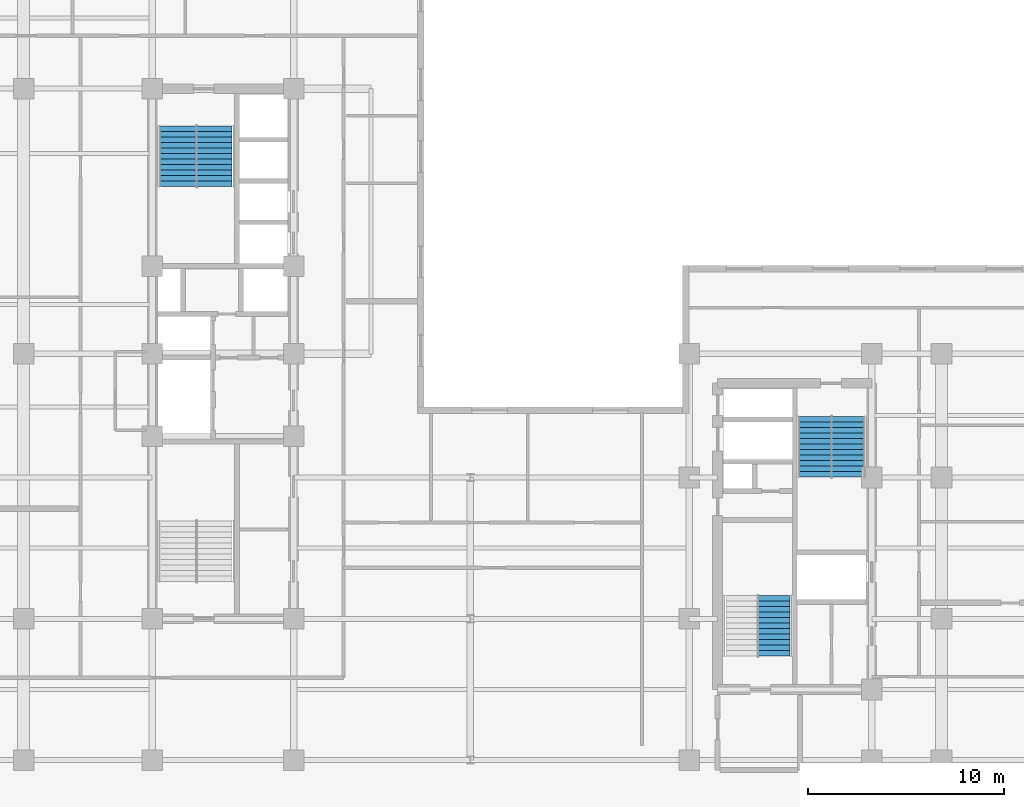
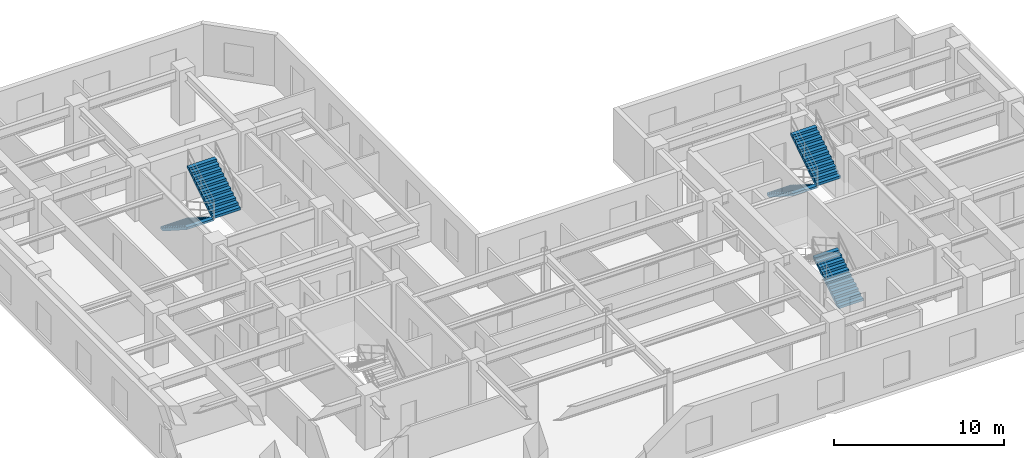
# One storey, part 7 of 10: 5 stair flights, 3 elements without a shape of their own.
"""IFC4 building model written with IfcOpenShell, lengths in metres."""

from ifc_helpers import new_model, entity, si_unit, converted_unit, direction, frame, origin_with_axes, place, context, subcontext, project, spatial, polyline, outline, extrude, material, type_object, element, aggregate, save


model = new_model("IFC4")

# Units and contexts
model_context = context("Model", 3, precision=1e-05, world=origin_with_axes(), true_north=direction((0.0, 1.0)))
body_context = subcontext(model_context, "Body", "Model", "MODEL_VIEW")
ifc_project = project(units=[si_unit("LENGTHUNIT", "METRE"), si_unit("AREAUNIT", "SQUARE_METRE"), si_unit("VOLUMEUNIT", "CUBIC_METRE"), converted_unit("PLANEANGLEUNIT", "DEGREE", entity("IfcPlaneAngleMeasure", 0.017453292519943295), si_unit("PLANEANGLEUNIT", "RADIAN"), dimensions=[0, 0, 0, 0, 0, 0, 0]), si_unit("MASSUNIT", "GRAM", prefix="KILO"), si_unit("THERMODYNAMICTEMPERATUREUNIT", "KELVIN")], contexts=[model_context])

# Site, building, storey
site_placement = place(None, origin_with_axes())
site = spatial("IfcSite", under=ifc_project, at=site_placement, CompositionType="ELEMENT")
building_placement = place(site_placement, origin_with_axes())
building = spatial("IfcBuilding", under=site, at=building_placement, Name="Varnlund Millrace Tower", CompositionType="ELEMENT")
storey_placement = place(building_placement, frame((0.0, 0.0, 175.8), z_axis=(0.0, 0.0, 1.0), x_axis=(1.0, 0.0, 0.0)))
storey = spatial("IfcBuildingStorey", under=building, at=storey_placement, Name="L43", CompositionType="ELEMENT", Elevation=175.8)

# Stair, stair flight
ifc_material_1 = material(Name="Concrete C50/60", Category="concrete")
stair_type_1 = type_object("IfcStairType", Name="Type-Stair-Dogleg-165-390", PredefinedType="HALF_TURN_STAIR", material=ifc_material_1)
stair_1_placement = place(storey_placement, origin_with_axes())
stair_1 = element("IfcStair", 1, at=stair_1_placement, inside=storey, type_object=stair_type_1, Name="Type-Stair-Dogleg-165-390", PredefinedType="HALF_TURN_STAIR")
ifc_material_2 = material(Name="Precast concrete C50/60", Category="concrete")
stair_flight_type_1 = type_object("IfcStairFlightType", Name="Type-Dogleg-Run-165-390", PredefinedType="STRAIGHT", material=ifc_material_2)
stair_flight_1_placement = place(storey_placement, frame((42.225, 8.9, 0.0), z_axis=(1.0, 0.0, 0.0), x_axis=(0.0, 1.0, 0.0)))
stair_flight_1 = element("IfcStairFlight", 2, at=stair_flight_1_placement, type_object=stair_flight_type_1, Name="ST-B1 flight 1", NumberOfRisers=11, NumberOfTreads=11, PredefinedType="STRAIGHT", RiserHeight=0.177273, TreadLength=0.28, context=body_context, shape_type="SweptSolid", body=[
    extrude(outline(polyline([(0.0, 0.0), (0.0, 0.177273), (0.28, 0.177273), (0.28, 0.354545), (0.56, 0.354545), (0.56, 0.531818), (0.84, 0.531818), (0.84, 0.709091), (1.12, 0.709091), (1.12, 0.886364), (1.4, 0.886364), (1.4, 1.063636), (1.68, 1.063636), (1.68, 1.240909), (1.96, 1.240909), (1.96, 1.418182), (2.24, 1.418182), (2.24, 1.595454), (2.52, 1.595454), (2.52, 1.772727), (2.8, 1.772727), (2.8, 1.95), (3.08, 1.95), (3.08, 1.8), (0.28, 0.0), (0.0, 0.0)])), origin_with_axes(), (0.0, 0.0, 1.0), 1.65),
])
aggregate(stair_1, [stair_flight_1])

# Stair, stair flights
stair_2_placement = place(storey_placement, origin_with_axes())
stair_2 = element("IfcStair", 3, at=stair_2_placement, inside=storey, type_object=stair_type_1, Name="Type-Stair-Dogleg-165-390", PredefinedType="HALF_TURN_STAIR")
stair_flight_2_placement = place(storey_placement, frame((46.025, 21.1, 0.0), z_axis=(-1.0, 0.0, 0.0), x_axis=(0.0, -1.0, 0.0)))
stair_flight_2 = element("IfcStairFlight", 4, at=stair_flight_2_placement, type_object=stair_flight_type_1, Name="ST-B2 flight 1", NumberOfRisers=11, NumberOfTreads=11, PredefinedType="STRAIGHT", RiserHeight=0.177273, TreadLength=0.28, context=body_context, shape_type="SweptSolid", body=[
    extrude(outline(polyline([(0.0, 0.0), (0.0, 0.177273), (0.28, 0.177273), (0.28, 0.354545), (0.56, 0.354545), (0.56, 0.531818), (0.84, 0.531818), (0.84, 0.709091), (1.12, 0.709091), (1.12, 0.886364), (1.4, 0.886364), (1.4, 1.063636), (1.68, 1.063636), (1.68, 1.240909), (1.96, 1.240909), (1.96, 1.418182), (2.24, 1.418182), (2.24, 1.595454), (2.52, 1.595454), (2.52, 1.772727), (2.8, 1.772727), (2.8, 1.95), (3.08, 1.95), (3.08, 1.8), (0.28, 0.0), (0.0, 0.0)])), origin_with_axes(), (0.0, 0.0, 1.0), 1.65),
])
stair_flight_3_placement = place(storey_placement, frame((45.975, 18.02, 1.95), z_axis=(1.0, 0.0, 0.0), x_axis=(0.0, 1.0, 0.0)))
stair_flight_3 = element("IfcStairFlight", 5, at=stair_flight_3_placement, type_object=stair_flight_type_1, Name="ST-B2 flight 2", NumberOfRisers=11, NumberOfTreads=11, PredefinedType="STRAIGHT", RiserHeight=0.177273, TreadLength=0.28, context=body_context, shape_type="SweptSolid", body=[
    extrude(outline(polyline([(0.0, 0.0), (0.0, 0.177273), (0.28, 0.177273), (0.28, 0.354545), (0.56, 0.354545), (0.56, 0.531818), (0.84, 0.531818), (0.84, 0.709091), (1.12, 0.709091), (1.12, 0.886364), (1.4, 0.886364), (1.4, 1.063636), (1.68, 1.063636), (1.68, 1.240909), (1.96, 1.240909), (1.96, 1.418182), (2.24, 1.418182), (2.24, 1.595454), (2.52, 1.595454), (2.52, 1.772727), (2.8, 1.772727), (2.8, 1.95), (3.08, 1.95), (3.08, 1.8), (0.28, 0.0), (0.0, 0.0)])), origin_with_axes(), (0.0, 0.0, 1.0), 1.65),
])
aggregate(stair_2, [stair_flight_2, stair_flight_3])

stair_type_2 = type_object("IfcStairType", Name="Type-Stair-Dogleg-185-390", PredefinedType="HALF_TURN_STAIR", material=ifc_material_1)
stair_3_placement = place(storey_placement, origin_with_axes())
stair_3 = element("IfcStair", 6, at=stair_3_placement, inside=storey, type_object=stair_type_2, Name="Type-Stair-Dogleg-185-390", PredefinedType="HALF_TURN_STAIR")
stair_flight_type_2 = type_object("IfcStairFlightType", Name="Type-Dogleg-Run-185-390", PredefinedType="STRAIGHT", material=ifc_material_2)
stair_flight_4_placement = place(storey_placement, frame((13.675, 35.9, 0.0), z_axis=(-1.0, 0.0, 0.0), x_axis=(0.0, -1.0, 0.0)))
stair_flight_4 = element("IfcStairFlight", 7, at=stair_flight_4_placement, type_object=stair_flight_type_2, Name="ST-A2 flight 1", NumberOfRisers=11, NumberOfTreads=11, PredefinedType="STRAIGHT", RiserHeight=0.177273, TreadLength=0.28, context=body_context, shape_type="SweptSolid", body=[
    extrude(outline(polyline([(0.0, 0.0), (0.0, 0.177273), (0.28, 0.177273), (0.28, 0.354545), (0.56, 0.354545), (0.56, 0.531818), (0.84, 0.531818), (0.84, 0.709091), (1.12, 0.709091), (1.12, 0.886364), (1.4, 0.886364), (1.4, 1.063636), (1.68, 1.063636), (1.68, 1.240909), (1.96, 1.240909), (1.96, 1.418182), (2.24, 1.418182), (2.24, 1.595454), (2.52, 1.595454), (2.52, 1.772727), (2.8, 1.772727), (2.8, 1.95), (3.08, 1.95), (3.08, 1.8), (0.28, 0.0), (0.0, 0.0)])), origin_with_axes(), (0.0, 0.0, 1.0), 1.85),
])
stair_flight_5_placement = place(storey_placement, frame((13.625, 32.82, 1.95), z_axis=(1.0, 0.0, 0.0), x_axis=(0.0, 1.0, 0.0)))
stair_flight_5 = element("IfcStairFlight", 8, at=stair_flight_5_placement, type_object=stair_flight_type_2, Name="ST-A2 flight 2", NumberOfRisers=11, NumberOfTreads=11, PredefinedType="STRAIGHT", RiserHeight=0.177273, TreadLength=0.28, context=body_context, shape_type="SweptSolid", body=[
    extrude(outline(polyline([(0.0, 0.0), (0.0, 0.177273), (0.28, 0.177273), (0.28, 0.354545), (0.56, 0.354545), (0.56, 0.531818), (0.84, 0.531818), (0.84, 0.709091), (1.12, 0.709091), (1.12, 0.886364), (1.4, 0.886364), (1.4, 1.063636), (1.68, 1.063636), (1.68, 1.240909), (1.96, 1.240909), (1.96, 1.418182), (2.24, 1.418182), (2.24, 1.595454), (2.52, 1.595454), (2.52, 1.772727), (2.8, 1.772727), (2.8, 1.95), (3.08, 1.95), (3.08, 1.8), (0.28, 0.0), (0.0, 0.0)])), origin_with_axes(), (0.0, 0.0, 1.0), 1.85),
])
aggregate(stair_3, [stair_flight_4, stair_flight_5])

save(model, "model.ifc")
